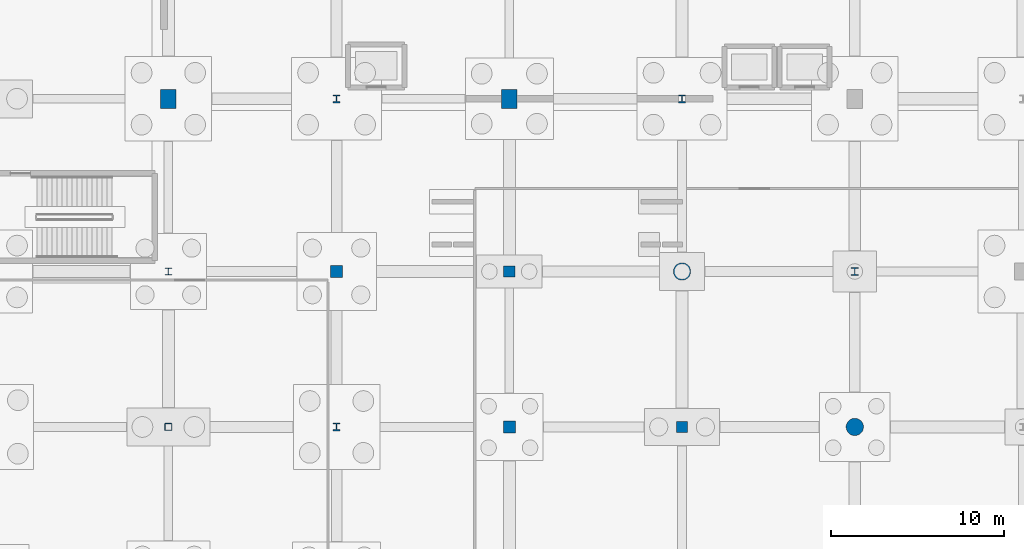
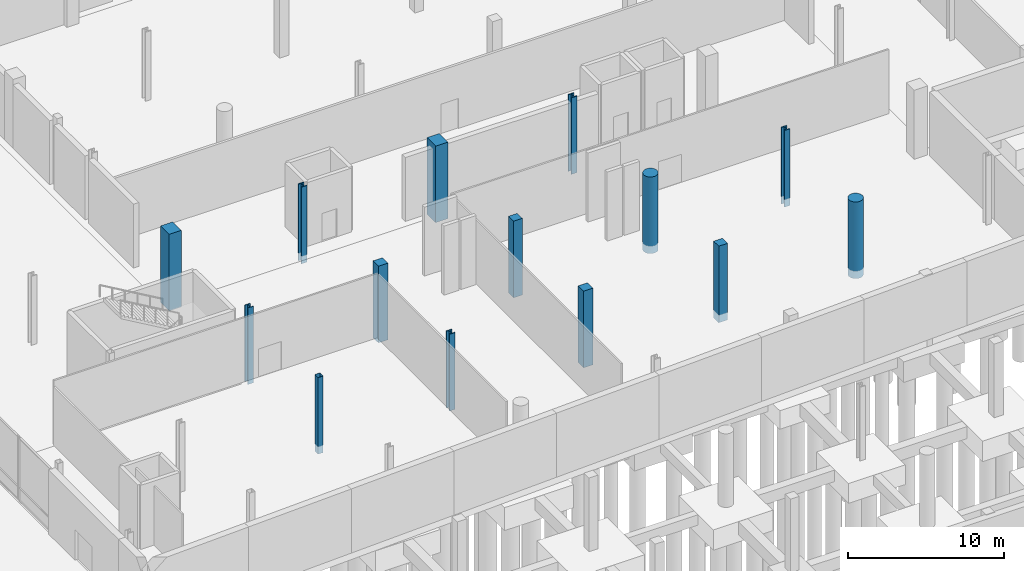
# One storey, part 22 of 60: 14 columns.
"""IFC4 building model written with IfcOpenShell, lengths in metres."""

from ifc_helpers import new_model, si_unit, direction, frame, origin, origin_2d, place, context, subcontext, project, spatial, rectangle, hollow_rectangle, circle, i_section, extrude, material, material_profile, profile_set, type_object, element, save


model = new_model("IFC4")

# Units and contexts
model_context = context("Model", 3, precision=1e-05, world=origin(), true_north=direction((0.0, 1.0)))
body_context = subcontext(model_context, "Body", "Model", "MODEL_VIEW")
ifc_project = project(units=[si_unit("LENGTHUNIT", "METRE"), si_unit("AREAUNIT", "SQUARE_METRE"), si_unit("VOLUMEUNIT", "CUBIC_METRE"), si_unit("PLANEANGLEUNIT", "RADIAN"), si_unit("MASSUNIT", "GRAM", prefix="KILO")], contexts=[model_context])

# Site, building, storey
site_placement = place(None, origin())
site = spatial("IfcSite", under=ifc_project, at=site_placement, CompositionType="ELEMENT")
building_placement = place(site_placement, origin())
building = spatial("IfcBuilding", under=site, at=building_placement, Name="Trimount Lyric Opera House", CompositionType="ELEMENT")
storey_placement = place(building_placement, frame((0.0, 0.0, -5.39990234375)))
storey = spatial("IfcBuildingStorey", under=building, at=storey_placement, Name="B1", CompositionType="ELEMENT", Elevation=-5.39990234375)

# Columns
ifc_material_1 = material(Name="Steel ASTM A992 Grade 50", Category="steel")
ifc_material_profile_1 = material_profile(ifc_material_1, i_section(OverallWidth=0.422119140625, OverallDepth=0.465087890625, WebThickness=0.044921875, FlangeThickness=0.072509765625, FilletRadius=0.02001953125, at=origin_2d()), Name="W14X398")
ifc_profile_set_1 = profile_set([ifc_material_profile_1], Name="Steel ASTM A992 Grade 50")
column_type_1 = type_object("IfcColumnType", Name="C-01", PredefinedType="COLUMN", material=ifc_profile_set_1)
for number, where, z_axis, x_axis, name in (
    (1, (74.0, 54.0, -0.60009765625), (0.0, 0.0, 1.0), (1.0, 0.0, 0.0), "B1 column 9/G"),
    (2, (94.0, 54.0, -0.60009765625), (0.0, 0.0, 1.0), (1.0, 0.0, 0.0), "B1 column 11/G"),
):
    element("IfcColumn", number, at=place(storey_placement, frame(where, z_axis=z_axis, x_axis=x_axis)), inside=storey, type_object=column_type_1, Name=name, PredefinedType="COLUMN", context=body_context, shape_type="SweptSolid", body=[
        extrude(i_section(OverallWidth=0.422119140625, OverallDepth=0.465087890625, WebThickness=0.044921875, FlangeThickness=0.072509765625, FilletRadius=0.02001953125, at=origin_2d()), origin(), (0.0, 0.0, 1.0), 6.0),
    ])
ifc_material_2 = material(Name="Steel ASTM A992 Grade 50", Category="steel")
ifc_material_profile_2 = material_profile(ifc_material_2, i_section(OverallWidth=0.406005859375, OverallDepth=0.4169921875, WebThickness=0.02978515625, FlangeThickness=0.048095703125, FilletRadius=0.01806640625, at=origin_2d()), Name="W14X257")
ifc_profile_set_2 = profile_set([ifc_material_profile_2], Name="Steel ASTM A992 Grade 50")
column_type_2 = type_object("IfcColumnType", Name="C-02", PredefinedType="COLUMN", material=ifc_profile_set_2)
column_1_placement = place(storey_placement, frame((64.260009765625, 44.0, -0.60009765625), z_axis=(0.0, 0.0, 1.0), x_axis=(1.0, 0.0, 0.0)))
element("IfcColumn", 3, at=column_1_placement, inside=storey, type_object=column_type_2, Name="B1 column 8/F", PredefinedType="COLUMN", context=body_context, shape_type="SweptSolid", body=[
    extrude(i_section(OverallWidth=0.406005859375, OverallDepth=0.4169921875, WebThickness=0.02978515625, FlangeThickness=0.048095703125, FilletRadius=0.01806640625, at=origin_2d()), origin(), (0.0, 0.0, 1.0), 6.0),
])
ifc_material_3 = material(Name="Steel ASTM A500 Grade C", Category="steel")
ifc_material_profile_3 = material_profile(ifc_material_3, hollow_rectangle(XDim=0.406494140625, YDim=0.406494140625, WallThickness=0.014892578125, InnerFilletRadius=0.01513671875, OuterFilletRadius=0.030029296875, at=origin_2d()), Name="HSS406.4X406.4X15.9")
ifc_profile_set_3 = profile_set([ifc_material_profile_3], Name="Steel ASTM A500 Grade C")
column_type_3 = type_object("IfcColumnType", Name="C-07", PredefinedType="COLUMN", material=ifc_profile_set_3)
column_2_placement = place(storey_placement, frame((64.260009765625, 35.0, -0.60009765625), z_axis=(0.0, 0.0, 1.0), x_axis=(1.0, 0.0, 0.0)))
element("IfcColumn", 4, at=column_2_placement, inside=storey, type_object=column_type_3, Name="B1 column 8/E", PredefinedType="COLUMN", context=body_context, shape_type="SweptSolid", body=[
    extrude(hollow_rectangle(XDim=0.406494140625, YDim=0.406494140625, WallThickness=0.014892578125, InnerFilletRadius=0.01513671875, OuterFilletRadius=0.030029296875, at=origin_2d()), origin(), (0.0, 0.0, 1.0), 6.0),
])
ifc_material_4 = material(Name="Steel ASTM A992 Grade 50", Category="steel")
ifc_material_profile_4 = material_profile(ifc_material_4, i_section(OverallWidth=0.422119140625, OverallDepth=0.465087890625, WebThickness=0.044921875, FlangeThickness=0.072509765625, FilletRadius=0.02001953125, at=origin_2d()), Name="W14X398")
ifc_profile_set_4 = profile_set([ifc_material_profile_4], Name="Steel ASTM A992 Grade 50")
column_type_4 = type_object("IfcColumnType", Name="C-10", PredefinedType="COLUMN", material=ifc_profile_set_4)
for number, where, z_axis, x_axis, name in (
    (5, (74.0, 35.0, -0.60009765625), (0.0, 0.0, 1.0), (1.0, 0.0, 0.0), "B1 column 9/E"),
    (6, (104.0, 44.0, -0.60009765625), (0.0, 0.0, 1.0), (1.0, 0.0, 0.0), "B1 column 12/F"),
):
    element("IfcColumn", number, at=place(storey_placement, frame(where, z_axis=z_axis, x_axis=x_axis)), inside=storey, type_object=column_type_4, Name=name, PredefinedType="COLUMN", context=body_context, shape_type="SweptSolid", body=[
        extrude(i_section(OverallWidth=0.422119140625, OverallDepth=0.465087890625, WebThickness=0.044921875, FlangeThickness=0.072509765625, FilletRadius=0.02001953125, at=origin_2d()), origin(), (0.0, 0.0, 1.0), 6.0),
    ])
ifc_material_5 = material(Name="Concrete C50/60", Category="concrete")
ifc_material_profile_5 = material_profile(ifc_material_5, rectangle(XDim=0.89990234375, YDim=1.10009765625, at=origin_2d()), Name="RC1100X900")
ifc_profile_set_5 = profile_set([ifc_material_profile_5], Name="Concrete C50/60")
column_type_5 = type_object("IfcColumnType", Name="C-11", PredefinedType="COLUMN", material=ifc_profile_set_5)
for number, where, z_axis, x_axis, name in (
    (7, (64.260009765625, 54.0, -0.60009765625), (0.0, 0.0, 1.0), (1.0, 0.0, 0.0), "B1 column 8/G"),
    (8, (84.0, 54.0, -0.60009765625), (0.0, 0.0, 1.0), (1.0, 0.0, 0.0), "B1 column 10/G"),
):
    element("IfcColumn", number, at=place(storey_placement, frame(where, z_axis=z_axis, x_axis=x_axis)), inside=storey, type_object=column_type_5, Name=name, PredefinedType="COLUMN", context=body_context, shape_type="SweptSolid", body=[
        extrude(rectangle(XDim=0.89990234375, YDim=1.10009765625, at=origin_2d()), origin(), (0.0, 0.0, 1.0), 6.0),
    ])
ifc_material_6 = material(Name="Concrete C40/50", Category="concrete")
ifc_material_profile_6 = material_profile(ifc_material_6, rectangle(XDim=0.699951171875, YDim=0.699951171875, at=origin_2d()), Name="RC700X700")
ifc_profile_set_6 = profile_set([ifc_material_profile_6], Name="Concrete C40/50")
column_type_6 = type_object("IfcColumnType", Name="C-16", PredefinedType="COLUMN", material=ifc_profile_set_6)
for number, where, z_axis, x_axis, name in (
    (9, (74.0, 44.0, -0.60009765625), (0.0, 0.0, 1.0), (1.0, 0.0, 0.0), "B1 column 9/F"),
    (10, (84.0, 35.0, -0.60009765625), (0.0, 0.0, 1.0), (1.0, 0.0, 0.0), "B1 column 10/E"),
):
    element("IfcColumn", number, at=place(storey_placement, frame(where, z_axis=z_axis, x_axis=x_axis)), inside=storey, type_object=column_type_6, Name=name, PredefinedType="COLUMN", context=body_context, shape_type="SweptSolid", body=[
        extrude(rectangle(XDim=0.699951171875, YDim=0.699951171875, at=origin_2d()), origin(), (0.0, 0.0, 1.0), 6.0),
    ])
ifc_material_7 = material(Name="Concrete C40/50", Category="concrete")
ifc_material_profile_7 = material_profile(ifc_material_7, rectangle(XDim=0.64990234375, YDim=0.64990234375, at=origin_2d()), Name="RC650X650")
ifc_profile_set_7 = profile_set([ifc_material_profile_7], Name="Concrete C40/50")
column_type_7 = type_object("IfcColumnType", Name="C-17", PredefinedType="COLUMN", material=ifc_profile_set_7)
for number, where, z_axis, x_axis, name in (
    (11, (84.0, 44.0, -0.60009765625), (0.0, 0.0, 1.0), (1.0, 0.0, 0.0), "B1 column 10/F"),
    (12, (94.0, 35.0, -0.60009765625), (0.0, 0.0, 1.0), (1.0, 0.0, 0.0), "B1 column 11/E"),
):
    element("IfcColumn", number, at=place(storey_placement, frame(where, z_axis=z_axis, x_axis=x_axis)), inside=storey, type_object=column_type_7, Name=name, PredefinedType="COLUMN", context=body_context, shape_type="SweptSolid", body=[
        extrude(rectangle(XDim=0.64990234375, YDim=0.64990234375, at=origin_2d()), origin(), (0.0, 0.0, 1.0), 6.0),
    ])
ifc_material_8 = material(Name="Concrete C50/60", Category="concrete")
ifc_material_profile_8 = material_profile(ifc_material_8, circle(Radius=0.5, at=origin_2d()), Name="RC-D1000")
ifc_profile_set_8 = profile_set([ifc_material_profile_8], Name="Concrete C50/60")
column_type_8 = type_object("IfcColumnType", Name="C-18", PredefinedType="COLUMN", material=ifc_profile_set_8)
for number, where, z_axis, x_axis, name in (
    (13, (94.0, 44.0, -0.60009765625), (0.0, 0.0, 1.0), (1.0, 0.0, 0.0), "B1 column 11/F"),
    (14, (104.0, 35.0, -0.60009765625), (0.0, 0.0, 1.0), (1.0, 0.0, 0.0), "B1 column 12/E"),
):
    element("IfcColumn", number, at=place(storey_placement, frame(where, z_axis=z_axis, x_axis=x_axis)), inside=storey, type_object=column_type_8, Name=name, PredefinedType="COLUMN", context=body_context, shape_type="SweptSolid", body=[
        extrude(circle(Radius=0.5, at=origin_2d()), origin(), (0.0, 0.0, 1.0), 6.0),
    ])

save(model, "model.ifc")
